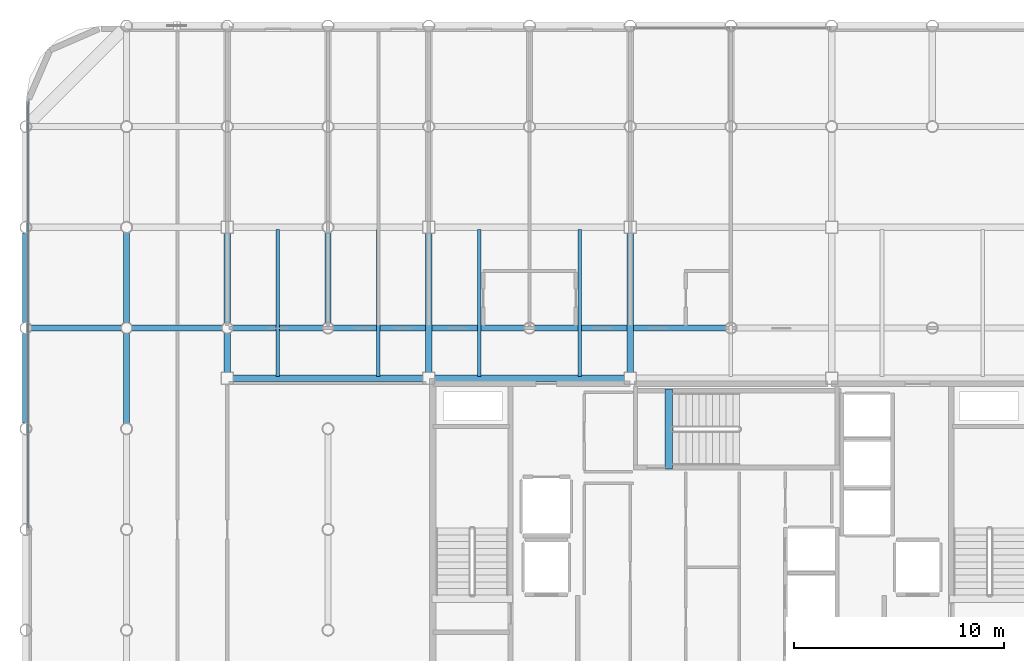
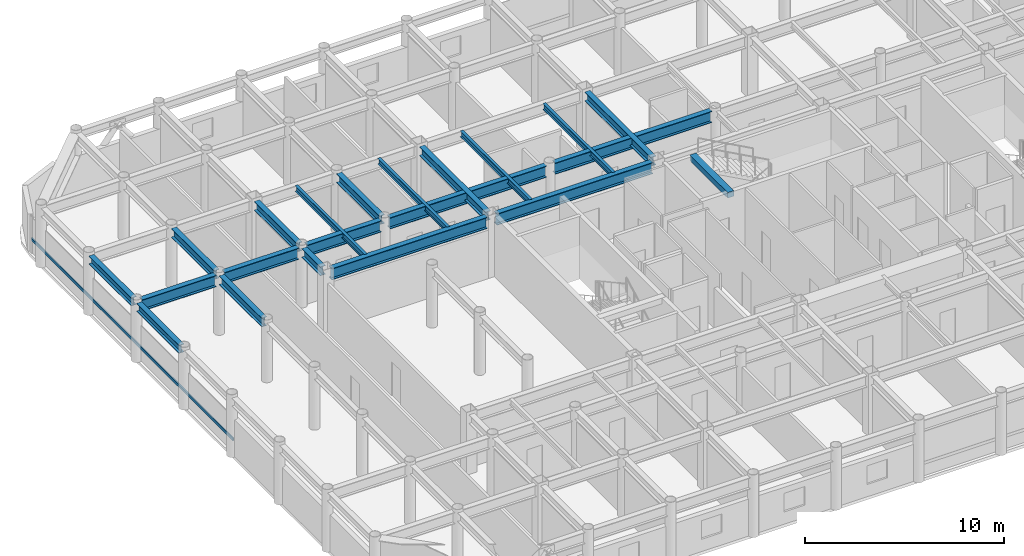
# One storey, part 7 of 22: 21 beams, 1 member, 1 element without a shape of its own.
"""IFC4 building model written with IfcOpenShell, lengths in metres."""

from ifc_helpers import new_model, si_unit, direction, frame, origin, origin_2d, place, context, subcontext, project, spatial, rectangle, hollow_rectangle, i_section, extrude, material, layer, layer_set, material_profile, profile_set, type_object, element, aggregate, save


model = new_model("IFC4")

# Units and contexts
model_context = context("Model", 3, precision=1e-05, world=origin(), true_north=direction((0.0, 1.0)))
body_context = subcontext(model_context, "Body", "Model", "MODEL_VIEW")
ifc_project = project(units=[si_unit("LENGTHUNIT", "METRE"), si_unit("AREAUNIT", "SQUARE_METRE"), si_unit("VOLUMEUNIT", "CUBIC_METRE"), si_unit("PLANEANGLEUNIT", "RADIAN"), si_unit("MASSUNIT", "GRAM", prefix="KILO")], contexts=[model_context])

# Site, building, storey
site_placement = place(None, origin())
site = spatial("IfcSite", under=ifc_project, at=site_placement, CompositionType="ELEMENT")
building_placement = place(site_placement, origin())
building = spatial("IfcBuilding", under=site, at=building_placement, Name="Kallvorn Hotel Tower", CompositionType="ELEMENT")
storey_placement = place(building_placement, frame((0.0, 0.0, 253.10009765625)))
storey = spatial("IfcBuildingStorey", under=building, at=storey_placement, Name="L63", CompositionType="ELEMENT", Elevation=253.10009765625)

# Beams
ifc_material_1 = material(Name="Structural steel S355JR", Category="steel")
ifc_material_profile_1 = material_profile(ifc_material_1, i_section(OverallWidth=0.300048828125, OverallDepth=0.5, WebThickness=0.014404296875, FlangeThickness=0.028076171875, at=origin_2d()), Name="HE 500 B")
ifc_profile_set_1 = profile_set([ifc_material_profile_1], Name="Structural steel S355JR")
beam_type_1 = type_object("IfcBeamType", Name="BM_HE500B", PredefinedType="SPANDREL", material=ifc_profile_set_1)
beam_1_placement = place(storey_placement, frame((-33.60009765625, 5.069580078125, 3.419921875), z_axis=(0.0, 1.0, 0.0), x_axis=(-1.0, 0.0, 0.0)))
element("IfcBeam", 1, at=beam_1_placement, inside=storey, type_object=beam_type_1, Name="L64 Perimeter Spandrel 178", PredefinedType="SPANDREL", context=body_context, shape_type="SweptSolid", body=[
    extrude(i_section(OverallWidth=0.300048828125, OverallDepth=0.5, WebThickness=0.014404296875, FlangeThickness=0.028076171875, at=origin_2d()), origin(), (0.0, 0.0, 1.0), 4.260986328125),
])
beam_2_placement = place(storey_placement, frame((-33.60009765625, 9.869384765625, 3.419921875), z_axis=(0.0, 1.0, 0.0), x_axis=(-1.0, 0.0, 0.0)))
element("IfcBeam", 2, at=beam_2_placement, inside=storey, type_object=beam_type_1, Name="L64 Perimeter Spandrel 179", PredefinedType="SPANDREL", context=body_context, shape_type="SweptSolid", body=[
    extrude(i_section(OverallWidth=0.300048828125, OverallDepth=0.5, WebThickness=0.014404296875, FlangeThickness=0.028076171875, at=origin_2d()), origin(), (0.0, 0.0, 1.0), 4.26123046875),
])
ifc_material_2 = material(Name="Structural steel S355JR", Category="steel")
ifc_material_profile_2 = material_profile(ifc_material_2, i_section(OverallWidth=0.300048828125, OverallDepth=0.550048828125, WebThickness=0.014892578125, FlangeThickness=0.029052734375, at=origin_2d()), Name="HE 550 B")
ifc_profile_set_2 = profile_set([ifc_material_profile_2], Name="Structural steel S355JR")
beam_type_2 = type_object("IfcBeamType", Name="BM_HE550B", PredefinedType="SPANDREL", material=ifc_profile_set_2)
for number, where, z_axis, x_axis, name in (
    (3, (-28.800048828125, 5.054443359375, 3.39501953125), (0.0, 1.0, 0.0), (-1.0, 0.0, 0.0), "L64 Primary Y-Girder 78"),
    (4, (-28.800048828125, 9.8544921875, 3.39501953125), (0.0, 1.0, 0.0), (-1.0, 0.0, 0.0), "L64 Primary Y-Girder 79"),
):
    element("IfcBeam", number, at=place(storey_placement, frame(where, z_axis=z_axis, x_axis=x_axis)), inside=storey, type_object=beam_type_2, Name=name, PredefinedType="SPANDREL", context=body_context, shape_type="SweptSolid", body=[
        extrude(i_section(OverallWidth=0.300048828125, OverallDepth=0.550048828125, WebThickness=0.014892578125, FlangeThickness=0.029052734375, at=origin_2d()), origin(), (0.0, 0.0, 1.0), 4.291015625),
    ])
beam_3_placement = place(storey_placement, frame((-24.0, 7.47509765625, 3.39501953125), z_axis=(0.0, 1.0, 0.0), x_axis=(-1.0, 0.0, 0.0)))
element("IfcBeam", 5, at=beam_3_placement, inside=storey, type_object=beam_type_2, Name="L64 Primary Y-Girder 85", PredefinedType="SPANDREL", context=body_context, shape_type="SweptSolid", body=[
    extrude(i_section(OverallWidth=0.300048828125, OverallDepth=0.550048828125, WebThickness=0.014892578125, FlangeThickness=0.029052734375, at=origin_2d()), origin(), (0.0, 0.0, 1.0), 1.870361328125),
])
beam_4_placement = place(storey_placement, frame((-24.0, 9.8544921875, 3.39501953125), z_axis=(0.0, 1.0, 0.0), x_axis=(-1.0, 0.0, 0.0)))
element("IfcBeam", 6, at=beam_4_placement, inside=storey, type_object=beam_type_2, Name="L64 Primary Y-Girder 86", PredefinedType="SPANDREL", context=body_context, shape_type="SweptSolid", body=[
    extrude(i_section(OverallWidth=0.300048828125, OverallDepth=0.550048828125, WebThickness=0.014892578125, FlangeThickness=0.029052734375, at=origin_2d()), origin(), (0.0, 0.0, 1.0), 4.2705078125),
])
beam_5_placement = place(storey_placement, frame((-19.199951171875, 9.8544921875, 3.39501953125), z_axis=(0.0, 1.0, 0.0), x_axis=(-1.0, 0.0, 0.0)))
element("IfcBeam", 7, at=beam_5_placement, inside=storey, type_object=beam_type_2, Name="L64 Primary Y-Girder 95", PredefinedType="SPANDREL", context=body_context, shape_type="SweptSolid", body=[
    extrude(i_section(OverallWidth=0.300048828125, OverallDepth=0.550048828125, WebThickness=0.014892578125, FlangeThickness=0.029052734375, at=origin_2d()), origin(), (0.0, 0.0, 1.0), 4.291015625),
])
for number, where, z_axis, x_axis, name in (
    (8, (-14.39990234375, 7.47509765625, 3.39501953125), (0.0, 1.0, 0.0), (-1.0, 0.0, 0.0), "L64 Primary Y-Girder 100"),
    (9, (-4.800048828125, 7.47509765625, 3.39501953125), (0.0, 1.0, 0.0), (-1.0, 0.0, 0.0), "L64 Primary Y-Girder 108"),
):
    element("IfcBeam", number, at=place(storey_placement, frame(where, z_axis=z_axis, x_axis=x_axis)), inside=storey, type_object=beam_type_2, Name=name, PredefinedType="SPANDREL", context=body_context, shape_type="SweptSolid", body=[
        extrude(i_section(OverallWidth=0.300048828125, OverallDepth=0.550048828125, WebThickness=0.014892578125, FlangeThickness=0.029052734375, at=origin_2d()), origin(), (0.0, 0.0, 1.0), 6.64990234375),
    ])
ifc_material_3 = material(Name="Structural steel S355JR", Category="steel")
ifc_material_profile_3 = material_profile(ifc_material_3, i_section(OverallWidth=0.300048828125, OverallDepth=0.699951171875, WebThickness=0.01708984375, FlangeThickness=0.031982421875, at=origin_2d()), Name="HE 700 B")
ifc_profile_set_3 = profile_set([ifc_material_profile_3], Name="Structural steel S355JR")
beam_type_3 = type_object("IfcBeamType", Name="BM_HE700B", PredefinedType="BEAM", material=ifc_profile_set_3)
for number, where, z_axis, x_axis, name in (
    (10, (-23.72509765625, 7.199951171875, 3.31982421875), (1.0, 0.0, 0.0), (0.0, 1.0, 0.0), "L64 Primary X-Girder 36"),
    (11, (-14.125, 7.199951171875, 3.31982421875), (1.0, 0.0, 0.0), (0.0, 1.0, 0.0), "L64 Primary X-Girder 37"),
):
    element("IfcBeam", number, at=place(storey_placement, frame(where, z_axis=z_axis, x_axis=x_axis)), inside=storey, type_object=beam_type_3, Name=name, PredefinedType="BEAM", context=body_context, shape_type="SweptSolid", body=[
        extrude(i_section(OverallWidth=0.300048828125, OverallDepth=0.699951171875, WebThickness=0.01708984375, FlangeThickness=0.031982421875, at=origin_2d()), origin(), (0.0, 0.0, 1.0), 9.050048828125),
    ])
for number, where, z_axis, x_axis, name in (
    (12, (-33.345458984375, 9.60009765625, 3.31982421875), (1.0, 0.0, 0.0), (0.0, 1.0, 0.0), "L64 Primary X-Girder 41"),
    (13, (-28.54541015625, 9.60009765625, 3.31982421875), (1.0, 0.0, 0.0), (0.0, 1.0, 0.0), "L64 Primary X-Girder 42"),
    (14, (-23.74560546875, 9.60009765625, 3.31982421875), (1.0, 0.0, 0.0), (0.0, 1.0, 0.0), "L64 Primary X-Girder 43"),
):
    element("IfcBeam", number, at=place(storey_placement, frame(where, z_axis=z_axis, x_axis=x_axis)), inside=storey, type_object=beam_type_3, Name=name, PredefinedType="BEAM", context=body_context, shape_type="SweptSolid", body=[
        extrude(i_section(OverallWidth=0.300048828125, OverallDepth=0.699951171875, WebThickness=0.01708984375, FlangeThickness=0.031982421875, at=origin_2d()), origin(), (0.0, 0.0, 1.0), 4.291015625),
    ])
for number, where, z_axis, x_axis, name in (
    (15, (-18.945556640625, 9.60009765625, 3.31982421875), (1.0, 0.0, 0.0), (0.0, 1.0, 0.0), "L64 Primary X-Girder 44"),
    (16, (-9.345458984375, 9.60009765625, 3.31982421875), (1.0, 0.0, 0.0), (0.0, 1.0, 0.0), "L64 Primary X-Girder 45"),
):
    element("IfcBeam", number, at=place(storey_placement, frame(where, z_axis=z_axis, x_axis=x_axis)), inside=storey, type_object=beam_type_3, Name=name, PredefinedType="BEAM", context=body_context, shape_type="SweptSolid", body=[
        extrude(i_section(OverallWidth=0.300048828125, OverallDepth=0.699951171875, WebThickness=0.01708984375, FlangeThickness=0.031982421875, at=origin_2d()), origin(), (0.0, 0.0, 1.0), 9.091064453125),
    ])
ifc_material_4 = material(Name="Structural steel S355JR", Category="steel")
ifc_material_profile_4 = material_profile(ifc_material_4, i_section(OverallWidth=0.169921875, OverallDepth=0.360107421875, WebThickness=0.008056640625, FlangeThickness=0.0126953125, at=origin_2d()), Name="IPE 360")
ifc_profile_set_4 = profile_set([ifc_material_profile_4], Name="Structural steel S355JR")
beam_type_4 = type_object("IfcBeamType", Name="BM_IPE360", PredefinedType="JOIST", material=ifc_profile_set_4)
for number, where, z_axis, x_axis, name in (
    (17, (-21.60009765625, 7.300048828125, 3.489990234375), (0.0, 1.0, 0.0), (-1.0, 0.0, 0.0), "L64 Secondary Composite Joist 193"),
    (18, (-16.800048828125, 7.300048828125, 3.489990234375), (0.0, 1.0, 0.0), (-1.0, 0.0, 0.0), "L64 Secondary Composite Joist 195"),
    (19, (-12.0, 7.300048828125, 3.489990234375), (0.0, 1.0, 0.0), (-1.0, 0.0, 0.0), "L64 Secondary Composite Joist 197"),
    (20, (-7.199951171875, 7.300048828125, 3.489990234375), (0.0, 1.0, 0.0), (-1.0, 0.0, 0.0), "L64 Secondary Composite Joist 199"),
):
    element("IfcBeam", number, at=place(storey_placement, frame(where, z_axis=z_axis, x_axis=x_axis)), inside=storey, type_object=beam_type_4, Name=name, PredefinedType="JOIST", context=body_context, shape_type="SweptSolid", body=[
        extrude(i_section(OverallWidth=0.169921875, OverallDepth=0.360107421875, WebThickness=0.008056640625, FlangeThickness=0.0126953125, at=origin_2d()), origin(), (0.0, 0.0, 1.0), 7.0),
    ])
ifc_material_5 = material(Name="Concrete C50/60", Category="concrete")
ifc_material_profile_5 = material_profile(ifc_material_5, rectangle(XDim=0.360107421875, YDim=0.340087890625, at=origin_2d()), Name="RC 360x340")
ifc_profile_set_5 = profile_set([ifc_material_profile_5], Name="Concrete C50/60")
beam_type_5 = type_object("IfcBeamType", Name="BM_RC_400x360", PredefinedType="BEAM", material=ifc_profile_set_5)
beam_6_placement = place(storey_placement, frame((-2.9599609375, 2.8701171875, 3.5), z_axis=(0.0, 1.0, 0.0), x_axis=(-1.0, 0.0, 0.0)))
element("IfcBeam", 21, at=beam_6_placement, inside=storey, type_object=beam_type_5, Name="L64 Stair ST3 Arrival Trimmer Beam", PredefinedType="BEAM", context=body_context, shape_type="SweptSolid", body=[
    extrude(rectangle(XDim=0.360107421875, YDim=0.340087890625, at=origin_2d()), origin(), (0.0, 0.0, 1.0), 3.81982421875),
])

# Curtain wall, member
ifc_material_6 = material(Name="Thermally broken black-anodised aluminium AA 6063-T6", Category="aluminium")
ifc_layer = layer(ifc_material_6, 0.22998046875)
ifc_layer_set = layer_set([ifc_layer], Name="CW_SYS_5_HOTEL_HIGH")
curtain_wall_type = type_object("IfcCurtainWallType", Name="CW_SYS_5_HOTEL_HIGH", PredefinedType="USERDEFINED", material=ifc_layer_set)
curtain_wall_placement = place(storey_placement, origin())
curtain_wall = element("IfcCurtainWall", 22, at=curtain_wall_placement, inside=storey, type_object=curtain_wall_type, Name="L63 Dark-Glass Curtain Wall CW-L63-WN", ObjectType="UNITISED CURTAIN WALL", PredefinedType="USERDEFINED")
ifc_material_7 = material(Name="Thermally broken black-anodised aluminium AA 6063-T6", Category="aluminium")
ifc_material_profile_6 = material_profile(ifc_material_7, hollow_rectangle(XDim=0.070068359375, YDim=0.179931640625, WallThickness=0.00390625, at=origin_2d()), Name="TRN 180x70")
ifc_profile_set_6 = profile_set([ifc_material_profile_6], Name="Thermally broken black-anodised aluminium AA 6063-T6")
member_type = type_object("IfcMemberType", Name="CW_TRANSOM_180x70", PredefinedType="USERDEFINED", material=ifc_profile_set_6)
member_placement = place(storey_placement, frame((-33.47998046875, 0.06005859375, 0.849853515625), z_axis=(0.0, 1.0, 0.0), x_axis=(-1.0, 0.0, 0.0)))
member = element("IfcMember", 23, at=member_placement, type_object=member_type, Name="CW-L63-WN Transom 00M", ObjectType="TRANSOM", PredefinedType="USERDEFINED", context=body_context, shape_type="SweptSolid", body=[
    extrude(hollow_rectangle(XDim=0.070068359375, YDim=0.179931640625, WallThickness=0.00390625, at=origin_2d()), origin(), (0.0, 0.0, 1.0), 20.300048828125),
])
aggregate(curtain_wall, [member])

save(model, "model.ifc")
